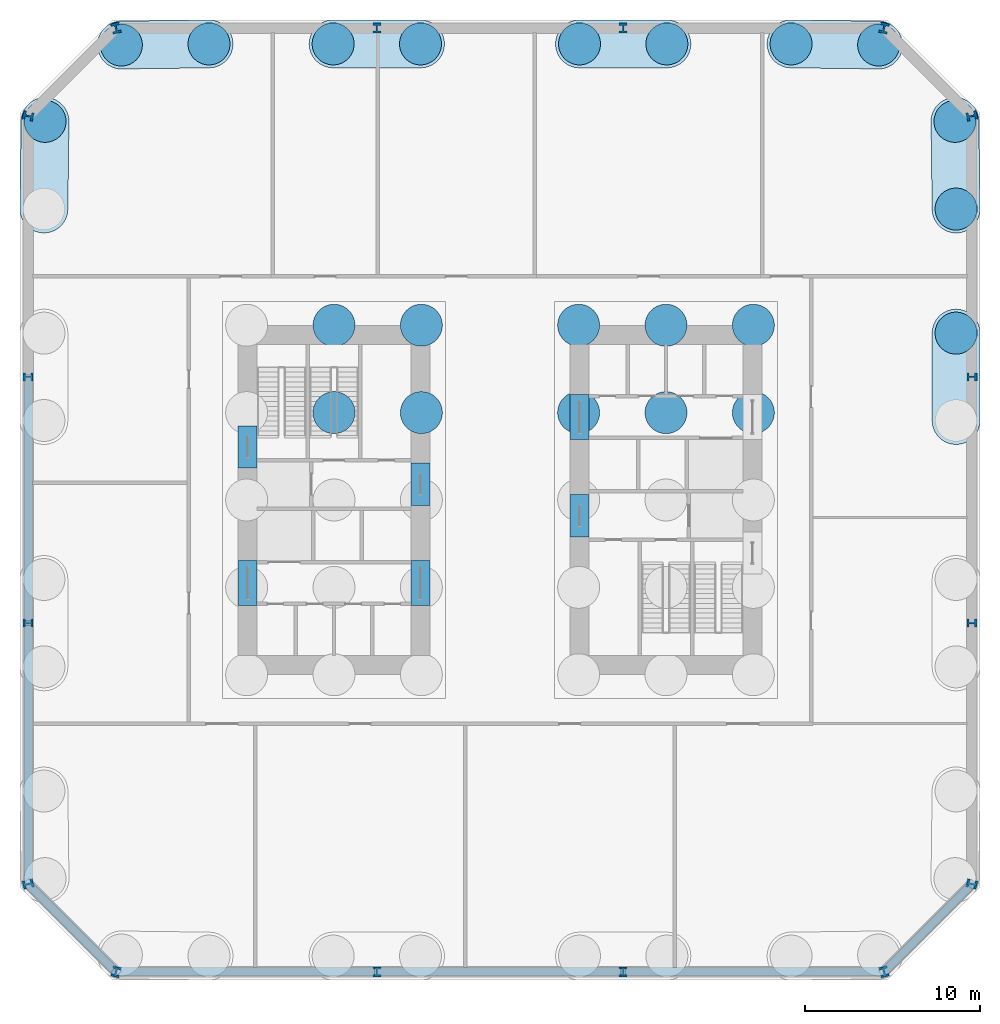
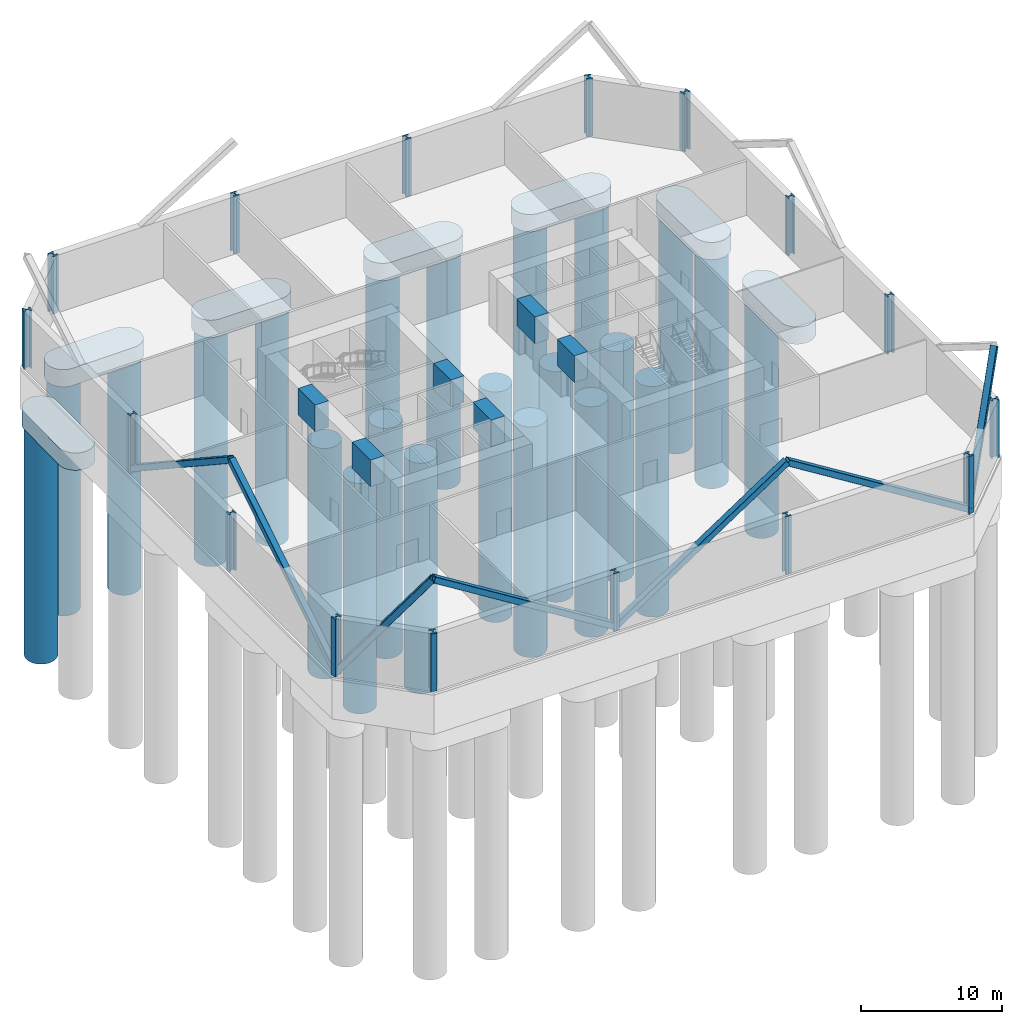
# One storey, part 2 of 7: 22 piles, 16 columns, 7 footings, 7 members, 6 beams.
"""IFC4 building model written with IfcOpenShell, lengths in metres."""

from ifc_helpers import new_model, si_unit, direction, frame, origin, origin_2d, place, context, subcontext, project, spatial, polyline, rectangle, hollow_rectangle, circle, i_section, outline, extrude, material, layer, layer_set, material_profile, profile_set, type_object, element, save


model = new_model("IFC4")

# Units and contexts
model_context = context("Model", 3, precision=1e-05, world=origin(), true_north=direction((0.0, 1.0)))
body_context = subcontext(model_context, "Body", "Model", "MODEL_VIEW")
ifc_project = project(units=[si_unit("LENGTHUNIT", "METRE"), si_unit("AREAUNIT", "SQUARE_METRE"), si_unit("VOLUMEUNIT", "CUBIC_METRE"), si_unit("PLANEANGLEUNIT", "RADIAN"), si_unit("MASSUNIT", "GRAM", prefix="KILO")], contexts=[model_context])

# Site, building, storey
site_placement = place(None, origin())
site = spatial("IfcSite", under=ifc_project, at=site_placement, CompositionType="ELEMENT")
building_placement = place(site_placement, origin())
building = spatial("IfcBuilding", under=site, at=building_placement, Name="Millrace Tower", CompositionType="ELEMENT")
storey_placement = place(building_placement, frame((0.0, 0.0, -10.0)))
storey = spatial("IfcBuildingStorey", under=building, at=storey_placement, Name="B2", CompositionType="ELEMENT", Elevation=-10.0)

# Piles
ifc_material_1 = material(Name="Concrete C35", Category="concrete")
ifc_material_profile_1 = material_profile(ifc_material_1, circle(Radius=1.199951171875, at=origin_2d()))
ifc_profile_set_1 = profile_set([ifc_material_profile_1], Name="Concrete C35")
pile_type = type_object("IfcPileType", Name="Bored pile 2400", PredefinedType="BORED", material=ifc_profile_set_1)
for number, where, z_axis, x_axis, name in (
    (1, (26.10009765625, 9.550048828125, -5.10009765625), (0.0, 0.0, -1.0), (1.0, 0.0, 0.0), "PL-BASE-B2-A-08-2"),
    (2, (26.037109375, 21.66845703125, -5.10009765625), (0.0, 0.0, -1.0), (1.0, 0.0, 0.0), "PL-BASE-B2-A-09-1"),
    (3, (26.10009765625, 16.650146484375, -5.10009765625), (0.0, 0.0, -1.0), (1.0, 0.0, 0.0), "PL-BASE-B2-A-09-2"),
    (4, (21.66845703125, 26.037109375, -5.10009765625), (0.0, 0.0, -1.0), (1.0, 0.0, 0.0), "PL-BASE-B2-A-10-1"),
    (5, (16.656982421875, 26.10009765625, -5.10009765625), (0.0, 0.0, -1.0), (1.0, 0.0, 0.0), "PL-BASE-B2-A-10-2"),
    (6, (9.550048828125, 26.10009765625, -5.10009765625), (0.0, 0.0, -1.0), (1.0, 0.0, 0.0), "PL-BASE-B2-A-11-1"),
    (7, (4.550048828125, 26.10009765625, -5.10009765625), (0.0, 0.0, -1.0), (1.0, 0.0, 0.0), "PL-BASE-B2-A-11-2"),
    (8, (-4.550048828125, 26.10009765625, -5.10009765625), (0.0, 0.0, -1.0), (1.0, 0.0, 0.0), "PL-BASE-B2-A-12-1"),
    (9, (-9.550048828125, 26.10009765625, -5.10009765625), (0.0, 0.0, -1.0), (1.0, 0.0, 0.0), "PL-BASE-B2-A-12-2"),
    (10, (-21.66845703125, 26.037109375, -5.10009765625), (0.0, 0.0, -1.0), (1.0, 0.0, 0.0), "PL-BASE-B2-A-13-1"),
    (11, (-16.65283203125, 26.10009765625, -5.10009765625), (0.0, 0.0, -1.0), (1.0, 0.0, 0.0), "PL-BASE-B2-A-13-2"),
    (12, (-26.037109375, 21.66845703125, -5.10009765625), (0.0, 0.0, -1.0), (1.0, 0.0, 0.0), "PL-BASE-B2-A-14-1"),
    (13, (-9.5, 5.0, -5.10009765625), (0.0, 0.0, -1.0), (1.0, 0.0, 0.0), "PL-BASE-B2-CW-13"),
    (14, (-9.5, 10.0, -5.10009765625), (0.0, 0.0, -1.0), (1.0, 0.0, 0.0), "PL-BASE-B2-CW-14"),
    (15, (-4.5, 5.0, -5.10009765625), (0.0, 0.0, -1.0), (1.0, 0.0, 0.0), "PL-BASE-B2-CW-23"),
    (16, (-4.5, 10.0, -5.10009765625), (0.0, 0.0, -1.0), (1.0, 0.0, 0.0), "PL-BASE-B2-CW-24"),
    (17, (4.5, 5.0, -5.10009765625), (0.0, 0.0, -1.0), (1.0, 0.0, 0.0), "PL-BASE-B2-CE-03"),
    (18, (4.5, 10.0, -5.10009765625), (0.0, 0.0, -1.0), (1.0, 0.0, 0.0), "PL-BASE-B2-CE-04"),
    (19, (9.5, 5.0, -5.10009765625), (0.0, 0.0, -1.0), (1.0, 0.0, 0.0), "PL-BASE-B2-CE-13"),
    (20, (9.5, 10.0, -5.10009765625), (0.0, 0.0, -1.0), (1.0, 0.0, 0.0), "PL-BASE-B2-CE-14"),
    (21, (14.5, 5.0, -5.10009765625), (0.0, 0.0, -1.0), (1.0, 0.0, 0.0), "PL-BASE-B2-CE-23"),
    (22, (14.5, 10.0, -5.10009765625), (0.0, 0.0, -1.0), (1.0, 0.0, 0.0), "PL-BASE-B2-CE-24"),
):
    element("IfcPile", number, at=place(storey_placement, frame(where, z_axis=z_axis, x_axis=x_axis)), inside=storey, type_object=pile_type, Name=name, PredefinedType="BORED", context=body_context, shape_type="SweptSolid", body=[
        extrude(circle(Radius=1.199951171875, at=origin_2d()), origin(), (0.0, 0.0, 1.0), 20.0),
    ])

# Footings
ifc_material_2 = material(Name="Concrete C45", Category="concrete")
ifc_layer = layer(ifc_material_2, 1.5)
ifc_layer_set = layer_set([ifc_layer], Name="Concrete C45")
footing_type = type_object("IfcFootingType", Name="Pile cap 1500 mm", PredefinedType="PILE_CAP", material=ifc_layer_set)
placement = place(storey_placement, frame((0.0, 0.0, -5.10009765625)))
element("IfcFooting", 23, at=placement, inside=storey, type_object=footing_type, Name="FT-BASE-B2-PC04", PredefinedType="PILE_CAP", context=body_context, shape_type="SweptSolid", body=[
    extrude(outline(polyline([(-24.775390625, 16.304931640625), (-24.81591796875, 16.1767578125), (-24.868896484375, 16.05322265625), (-24.970458984375, 15.87890625), (-25.096435546875, 15.7216796875), (-25.244140625, 15.58447265625), (-25.353271484375, 15.505859375), (-25.469482421875, 15.438232421875), (-25.65478515625, 15.358642578125), (-25.849609375, 15.307373046875), (-25.98291015625, 15.289306640625), (-26.1171875, 15.284423828125), (-26.318115234375, 15.3017578125), (-26.449462890625, 15.32958984375), (-26.57763671875, 15.370361328125), (-26.760986328125, 15.454345703125), (-26.929931640625, 15.564208984375), (-27.03271484375, 15.65087890625), (-27.12646484375, 15.7470703125), (-27.24853515625, 15.907470703125), (-27.345703125, 16.084228515625), (-27.3955078125, 16.208984375), (-27.43310546875, 16.338134765625), (-27.45751953125, 16.470458984375), (-27.469970703125, 16.671630859375), (-27.406982421875, 21.685791015625), (-27.3896484375, 21.886474609375), (-27.343017578125, 22.082763671875), (-27.26806640625, 22.269775390625), (-27.16650390625, 22.44384765625), (-27.04052734375, 22.601318359375), (-26.892822265625, 22.738525390625), (-26.7265625, 22.852294921875), (-26.54541015625, 22.940673828125), (-26.353271484375, 23.001708984375), (-26.220947265625, 23.026123046875), (-26.087158203125, 23.03759765625), (-25.95263671875, 23.035888671875), (-25.819091796875, 23.02099609375), (-25.6875, 22.9931640625), (-25.559326171875, 22.95263671875), (-25.435791015625, 22.899658203125), (-25.318115234375, 22.834716796875), (-25.207275390625, 22.758544921875), (-25.104248046875, 22.672119140625), (-25.010498046875, 22.57568359375), (-24.926513671875, 22.470703125), (-24.853271484375, 22.358154296875), (-24.791259765625, 22.23876953125), (-24.741455078125, 22.11376953125), (-24.7041015625, 21.98486328125), (-24.679443359375, 21.8525390625), (-24.667236328125, 21.6513671875), (-24.730224609375, 16.63720703125), (-24.74755859375, 16.436279296875), (-24.775390625, 16.304931640625)])), origin(), (0.0, 0.0, 1.0), 1.5),
])
element("IfcFooting", 24, at=placement, inside=storey, type_object=footing_type, Name="FT-BASE-B2-PC06", PredefinedType="PILE_CAP", context=body_context, shape_type="SweptSolid", body=[
    extrude(outline(polyline([(-16.336669921875, 27.43310546875), (-16.14453125, 27.372314453125), (-16.022216796875, 27.316162109375), (-15.906005859375, 27.24853515625), (-15.74560546875, 27.12646484375), (-15.6494140625, 27.03271484375), (-15.562744140625, 26.929931640625), (-15.452880859375, 26.760986328125), (-15.368896484375, 26.57763671875), (-15.328125, 26.449462890625), (-15.30029296875, 26.318115234375), (-15.282958984375, 26.1171875), (-15.29541015625, 25.916015625), (-15.3369140625, 25.71875), (-15.380615234375, 25.591552734375), (-15.436767578125, 25.469482421875), (-15.542236328125, 25.2978515625), (-15.626220703125, 25.19287109375), (-15.72021484375, 25.096435546875), (-15.87744140625, 24.970458984375), (-15.991943359375, 24.89990234375), (-16.11279296875, 24.841064453125), (-16.303466796875, 24.775390625), (-16.434814453125, 24.74755859375), (-16.6357421875, 24.730224609375), (-21.6513671875, 24.667236328125), (-21.8525390625, 24.679443359375), (-22.0498046875, 24.72119140625), (-22.23876953125, 24.791259765625), (-22.415283203125, 24.888427734375), (-22.57568359375, 25.010498046875), (-22.716552734375, 25.15478515625), (-22.834716796875, 25.318115234375), (-22.927734375, 25.496826171875), (-22.9931640625, 25.6875), (-23.021240234375, 25.819091796875), (-23.035888671875, 25.95263671875), (-23.03759765625, 26.087158203125), (-23.026123046875, 26.220947265625), (-23.001708984375, 26.353271484375), (-22.964111328125, 26.482421875), (-22.914306640625, 26.607177734375), (-22.852294921875, 26.7265625), (-22.779052734375, 26.83935546875), (-22.695068359375, 26.9443359375), (-22.601318359375, 27.04052734375), (-22.49853515625, 27.127197265625), (-22.3876953125, 27.203125), (-22.269775390625, 27.26806640625), (-22.146240234375, 27.321044921875), (-22.01806640625, 27.36181640625), (-21.886474609375, 27.3896484375), (-21.685791015625, 27.406982421875), (-16.670166015625, 27.469970703125), (-16.468994140625, 27.45751953125), (-16.336669921875, 27.43310546875)])), origin(), (0.0, 0.0, 1.0), 1.5),
])
element("IfcFooting", 25, at=placement, inside=storey, type_object=footing_type, Name="FT-BASE-B2-PC09", PredefinedType="PILE_CAP", context=body_context, shape_type="SweptSolid", body=[
    extrude(outline(polyline([(-9.8828125, 24.77099609375), (-10.07421875, 24.834228515625), (-10.19580078125, 24.891845703125), (-10.31103515625, 24.9609375), (-10.469970703125, 25.0849609375), (-10.609130859375, 25.23095703125), (-10.72509765625, 25.395751953125), (-10.78857421875, 25.51416015625), (-10.83984375, 25.638427734375), (-10.87890625, 25.76708984375), (-10.9052734375, 25.89892578125), (-10.919921875, 26.10009765625), (-10.9052734375, 26.301025390625), (-10.87890625, 26.432861328125), (-10.83984375, 26.5615234375), (-10.78857421875, 26.685791015625), (-10.72509765625, 26.80419921875), (-10.609130859375, 26.96923828125), (-10.469970703125, 27.114990234375), (-10.31103515625, 27.239013671875), (-10.19580078125, 27.308349609375), (-10.07421875, 27.36572265625), (-9.8828125, 27.428955078125), (-9.7509765625, 27.455078125), (-9.550048828125, 27.469970703125), (-4.550048828125, 27.469970703125), (-4.348876953125, 27.455078125), (-4.15234375, 27.410888671875), (-3.96435546875, 27.33837890625), (-3.788818359375, 27.239013671875), (-3.6298828125, 27.114990234375), (-3.490966796875, 26.96923828125), (-3.375, 26.80419921875), (-3.2841796875, 26.624267578125), (-3.220947265625, 26.432861328125), (-3.19482421875, 26.301025390625), (-3.181640625, 26.167236328125), (-3.181640625, 26.03271484375), (-3.19482421875, 25.89892578125), (-3.220947265625, 25.76708984375), (-3.260009765625, 25.638427734375), (-3.3115234375, 25.51416015625), (-3.375, 25.395751953125), (-3.44970703125, 25.283935546875), (-3.534912109375, 25.179931640625), (-3.6298828125, 25.0849609375), (-3.73388671875, 24.99951171875), (-3.845703125, 24.9248046875), (-3.96435546875, 24.861572265625), (-4.08837890625, 24.81005859375), (-4.217041015625, 24.77099609375), (-4.348876953125, 24.744873046875), (-4.550048828125, 24.72998046875), (-9.550048828125, 24.72998046875), (-9.7509765625, 24.744873046875), (-9.8828125, 24.77099609375)])), origin(), (0.0, 0.0, 1.0), 1.5),
])
element("IfcFooting", 26, at=placement, inside=storey, type_object=footing_type, Name="FT-BASE-B2-PC11", PredefinedType="PILE_CAP", context=body_context, shape_type="SweptSolid", body=[
    extrude(outline(polyline([(4.217041015625, 24.77099609375), (4.025634765625, 24.834228515625), (3.904296875, 24.891845703125), (3.788818359375, 24.9609375), (3.6298828125, 25.0849609375), (3.490966796875, 25.23095703125), (3.375, 25.395751953125), (3.3115234375, 25.51416015625), (3.260009765625, 25.638427734375), (3.206298828125, 25.832763671875), (3.1865234375, 25.9658203125), (3.179931640625, 26.10009765625), (3.1865234375, 26.234375), (3.206298828125, 26.3671875), (3.260009765625, 26.5615234375), (3.3115234375, 26.685791015625), (3.375, 26.80419921875), (3.490966796875, 26.96923828125), (3.6298828125, 27.114990234375), (3.788818359375, 27.239013671875), (3.904296875, 27.308349609375), (4.025634765625, 27.36572265625), (4.217041015625, 27.428955078125), (4.348876953125, 27.455078125), (4.550048828125, 27.469970703125), (9.550048828125, 27.469970703125), (9.7509765625, 27.455078125), (9.94775390625, 27.410888671875), (10.1357421875, 27.33837890625), (10.31103515625, 27.239013671875), (10.469970703125, 27.114990234375), (10.609130859375, 26.96923828125), (10.72509765625, 26.80419921875), (10.815673828125, 26.624267578125), (10.87890625, 26.432861328125), (10.9052734375, 26.301025390625), (10.91845703125, 26.167236328125), (10.91845703125, 26.03271484375), (10.9052734375, 25.89892578125), (10.87890625, 25.76708984375), (10.83984375, 25.638427734375), (10.78857421875, 25.51416015625), (10.72509765625, 25.395751953125), (10.650390625, 25.283935546875), (10.565185546875, 25.179931640625), (10.469970703125, 25.0849609375), (10.3662109375, 24.99951171875), (10.25439453125, 24.9248046875), (10.1357421875, 24.861572265625), (10.011474609375, 24.81005859375), (9.8828125, 24.77099609375), (9.7509765625, 24.744873046875), (9.550048828125, 24.72998046875), (4.550048828125, 24.72998046875), (4.348876953125, 24.744873046875), (4.217041015625, 24.77099609375)])), origin(), (0.0, 0.0, 1.0), 1.5),
])
element("IfcFooting", 27, at=placement, inside=storey, type_object=footing_type, Name="FT-BASE-B2-PC14", PredefinedType="PILE_CAP", context=body_context, shape_type="SweptSolid", body=[
    extrude(outline(polyline([(16.3076171875, 24.775390625), (16.116943359375, 24.841064453125), (15.93798828125, 24.933837890625), (15.774658203125, 25.052001953125), (15.67626953125, 25.1435546875), (15.587158203125, 25.244140625), (15.508544921875, 25.353271484375), (15.44091796875, 25.469482421875), (15.361572265625, 25.65478515625), (15.31005859375, 25.849609375), (15.292236328125, 25.98291015625), (15.287109375, 26.1171875), (15.29541015625, 26.25146484375), (15.31689453125, 26.384033203125), (15.373046875, 26.57763671875), (15.45703125, 26.760986328125), (15.567138671875, 26.929931640625), (15.70068359375, 27.080810546875), (15.80126953125, 27.169921875), (15.910400390625, 27.24853515625), (16.026611328125, 27.316162109375), (16.148681640625, 27.372314453125), (16.3408203125, 27.43310546875), (16.47314453125, 27.45751953125), (16.67431640625, 27.469970703125), (21.685791015625, 27.406982421875), (21.88671875, 27.3896484375), (22.082763671875, 27.343017578125), (22.269775390625, 27.26806640625), (22.44384765625, 27.16650390625), (22.601318359375, 27.04052734375), (22.738525390625, 26.892822265625), (22.8525390625, 26.7265625), (22.940673828125, 26.54541015625), (23.001708984375, 26.353271484375), (23.026123046875, 26.220947265625), (23.03759765625, 26.087158203125), (23.035888671875, 25.95263671875), (23.02099609375, 25.819091796875), (22.9931640625, 25.6875), (22.95263671875, 25.559326171875), (22.899658203125, 25.435791015625), (22.834716796875, 25.318115234375), (22.758544921875, 25.207275390625), (22.672119140625, 25.104248046875), (22.57568359375, 25.010498046875), (22.470703125, 24.926513671875), (22.358154296875, 24.853271484375), (22.23876953125, 24.791259765625), (22.11376953125, 24.741455078125), (21.98486328125, 24.7041015625), (21.8525390625, 24.679443359375), (21.6513671875, 24.667236328125), (16.639892578125, 24.730224609375), (16.43896484375, 24.74755859375), (16.3076171875, 24.775390625)])), origin(), (0.0, 0.0, 1.0), 1.5),
])
element("IfcFooting", 28, at=placement, inside=storey, type_object=footing_type, Name="FT-BASE-B2-PC16", PredefinedType="PILE_CAP", context=body_context, shape_type="SweptSolid", body=[
    extrude(outline(polyline([(27.43310546875, 16.333984375), (27.3955078125, 16.204833984375), (27.345703125, 16.080078125), (27.24853515625, 15.9033203125), (27.12646484375, 15.742919921875), (26.982421875, 15.60205078125), (26.875244140625, 15.520751953125), (26.760986328125, 15.4501953125), (26.57763671875, 15.3662109375), (26.384033203125, 15.31005859375), (26.25146484375, 15.28857421875), (26.1171875, 15.2802734375), (25.98291015625, 15.28515625), (25.849609375, 15.30322265625), (25.65478515625, 15.3544921875), (25.52978515625, 15.404541015625), (25.410400390625, 15.46630859375), (25.244140625, 15.580322265625), (25.096435546875, 15.717529296875), (25.010009765625, 15.8203125), (24.933837890625, 15.93115234375), (24.841064453125, 16.110107421875), (24.775390625, 16.300537109375), (24.73828125, 16.498779296875), (24.730224609375, 16.633056640625), (24.667236328125, 21.6513671875), (24.679443359375, 21.8525390625), (24.72119140625, 22.0498046875), (24.791259765625, 22.23876953125), (24.888427734375, 22.415283203125), (25.010498046875, 22.575927734375), (25.15478515625, 22.716552734375), (25.318115234375, 22.834716796875), (25.4970703125, 22.927734375), (25.6875, 22.9931640625), (25.819091796875, 23.021240234375), (25.95263671875, 23.035888671875), (26.087158203125, 23.03759765625), (26.220947265625, 23.026123046875), (26.353271484375, 23.001708984375), (26.482421875, 22.964111328125), (26.607177734375, 22.914306640625), (26.7265625, 22.852294921875), (26.83935546875, 22.779052734375), (26.9443359375, 22.695068359375), (27.04052734375, 22.601318359375), (27.127197265625, 22.49853515625), (27.203125, 22.3876953125), (27.26806640625, 22.269775390625), (27.321044921875, 22.146240234375), (27.36181640625, 22.01806640625), (27.3896484375, 21.886474609375), (27.406982421875, 21.685791015625), (27.469970703125, 16.667236328125), (27.465087890625, 16.532958984375), (27.43310546875, 16.333984375)])), origin(), (0.0, 0.0, 1.0), 1.5),
])
element("IfcFooting", 29, at=placement, inside=storey, type_object=footing_type, Name="FT-BASE-B2-PC18", PredefinedType="PILE_CAP", context=body_context, shape_type="SweptSolid", body=[
    extrude(outline(polyline([(24.77099609375, 9.8828125), (24.834228515625, 10.07421875), (24.891845703125, 10.19580078125), (24.9609375, 10.31103515625), (25.0849609375, 10.469970703125), (25.23095703125, 10.609130859375), (25.395751953125, 10.72509765625), (25.51416015625, 10.78857421875), (25.638427734375, 10.83984375), (25.76708984375, 10.87890625), (25.89892578125, 10.9052734375), (26.10009765625, 10.919921875), (26.301025390625, 10.9052734375), (26.432861328125, 10.87890625), (26.5615234375, 10.83984375), (26.685791015625, 10.78857421875), (26.80419921875, 10.72509765625), (26.96923828125, 10.609130859375), (27.114990234375, 10.469970703125), (27.239013671875, 10.31103515625), (27.308349609375, 10.19580078125), (27.36572265625, 10.07421875), (27.428955078125, 9.8828125), (27.455078125, 9.7509765625), (27.469970703125, 9.550048828125), (27.469970703125, 4.550048828125), (27.455078125, 4.348876953125), (27.410888671875, 4.15234375), (27.33837890625, 3.96435546875), (27.239013671875, 3.788818359375), (27.114990234375, 3.6298828125), (26.96923828125, 3.490966796875), (26.80419921875, 3.375), (26.624267578125, 3.2841796875), (26.432861328125, 3.220947265625), (26.301025390625, 3.19482421875), (26.167236328125, 3.181640625), (26.03271484375, 3.181640625), (25.89892578125, 3.19482421875), (25.76708984375, 3.220947265625), (25.638427734375, 3.260009765625), (25.51416015625, 3.3115234375), (25.395751953125, 3.375), (25.283935546875, 3.44970703125), (25.179931640625, 3.534912109375), (25.0849609375, 3.6298828125), (24.99951171875, 3.73388671875), (24.9248046875, 3.845703125), (24.861572265625, 3.96435546875), (24.81005859375, 4.08837890625), (24.77099609375, 4.217041015625), (24.744873046875, 4.348876953125), (24.72998046875, 4.550048828125), (24.72998046875, 9.550048828125), (24.744873046875, 9.7509765625), (24.77099609375, 9.8828125)])), origin(), (0.0, 0.0, 1.0), 1.5),
])

# Columns
ifc_material_3 = material(Name="Steel ASTM A913 Grade 65", Category="steel")
ifc_material_profile_2 = material_profile(ifc_material_3, i_section(OverallWidth=0.45458984375, OverallDepth=0.56884765625, WebThickness=0.077880859375, FlangeThickness=0.124755859375, FilletRadius=0.01513671875, at=origin_2d()))
ifc_profile_set_2 = profile_set([ifc_material_profile_2], Name="Steel ASTM A913 Grade 65")
column_type_1 = type_object("IfcColumnType", Name="Exoskeleton column W14x730", PredefinedType="COLUMN", material=ifc_profile_set_2)
column_1_placement = place(storey_placement, frame((-7.050048828125, -27.0, 0.0), z_axis=(0.0, 0.0, 1.0), x_axis=(1.0, 0.0, 0.0)))
element("IfcColumn", 30, at=column_1_placement, inside=storey, type_object=column_type_1, Name="COL-A-B2-X03", PredefinedType="COLUMN", context=body_context, shape_type="SweptSolid", body=[
    extrude(i_section(OverallWidth=0.45458984375, OverallDepth=0.56884765625, WebThickness=0.077880859375, FlangeThickness=0.124755859375, FilletRadius=0.01513671875, at=origin_2d()), origin(), (0.0, 0.0, 1.0), 5.0),
])
column_2_placement = place(storey_placement, frame((7.050048828125, -27.0, 0.0), z_axis=(0.0, 0.0, 1.0), x_axis=(1.0, 0.0, 0.0)))
element("IfcColumn", 31, at=column_2_placement, inside=storey, type_object=column_type_1, Name="COL-A-B2-X04", PredefinedType="COLUMN", context=body_context, shape_type="SweptSolid", body=[
    extrude(i_section(OverallWidth=0.45458984375, OverallDepth=0.56884765625, WebThickness=0.077880859375, FlangeThickness=0.124755859375, FilletRadius=0.01513671875, at=origin_2d()), origin(), (0.0, 0.0, 1.0), 5.0),
])
column_3_placement = place(storey_placement, frame((27.0, -7.050048828125, 0.0), z_axis=(0.0, 0.0, 1.0), x_axis=(0.0, 1.0, 0.0)))
element("IfcColumn", 32, at=column_3_placement, inside=storey, type_object=column_type_1, Name="COL-A-B2-X07", PredefinedType="COLUMN", context=body_context, shape_type="SweptSolid", body=[
    extrude(i_section(OverallWidth=0.45458984375, OverallDepth=0.56884765625, WebThickness=0.077880859375, FlangeThickness=0.124755859375, FilletRadius=0.01513671875, at=origin_2d()), origin(), (0.0, 0.0, 1.0), 5.0),
])
column_4_placement = place(storey_placement, frame((27.0, 7.050048828125, 0.0), z_axis=(0.0, 0.0, 1.0), x_axis=(0.0, 1.0, 0.0)))
element("IfcColumn", 33, at=column_4_placement, inside=storey, type_object=column_type_1, Name="COL-A-B2-X08", PredefinedType="COLUMN", context=body_context, shape_type="SweptSolid", body=[
    extrude(i_section(OverallWidth=0.45458984375, OverallDepth=0.56884765625, WebThickness=0.077880859375, FlangeThickness=0.124755859375, FilletRadius=0.01513671875, at=origin_2d()), origin(), (0.0, 0.0, 1.0), 5.0),
])
column_5_placement = place(storey_placement, frame((7.050048828125, 27.0, 0.0), z_axis=(0.0, 0.0, 1.0), x_axis=(-1.0, 0.0, 0.0)))
element("IfcColumn", 34, at=column_5_placement, inside=storey, type_object=column_type_1, Name="COL-A-B2-X11", PredefinedType="COLUMN", context=body_context, shape_type="SweptSolid", body=[
    extrude(i_section(OverallWidth=0.45458984375, OverallDepth=0.56884765625, WebThickness=0.077880859375, FlangeThickness=0.124755859375, FilletRadius=0.01513671875, at=origin_2d()), origin(), (0.0, 0.0, 1.0), 5.0),
])
column_6_placement = place(storey_placement, frame((-7.050048828125, 27.0, 0.0), z_axis=(0.0, 0.0, 1.0), x_axis=(-1.0, 0.0, 0.0)))
element("IfcColumn", 35, at=column_6_placement, inside=storey, type_object=column_type_1, Name="COL-A-B2-X12", PredefinedType="COLUMN", context=body_context, shape_type="SweptSolid", body=[
    extrude(i_section(OverallWidth=0.45458984375, OverallDepth=0.56884765625, WebThickness=0.077880859375, FlangeThickness=0.124755859375, FilletRadius=0.01513671875, at=origin_2d()), origin(), (0.0, 0.0, 1.0), 5.0),
])
column_7_placement = place(storey_placement, frame((-27.0, 7.050048828125, 0.0), z_axis=(0.0, 0.0, 1.0), x_axis=(0.0, -1.0, 0.0)))
element("IfcColumn", 36, at=column_7_placement, inside=storey, type_object=column_type_1, Name="COL-A-B2-X15", PredefinedType="COLUMN", context=body_context, shape_type="SweptSolid", body=[
    extrude(i_section(OverallWidth=0.45458984375, OverallDepth=0.56884765625, WebThickness=0.077880859375, FlangeThickness=0.124755859375, FilletRadius=0.01513671875, at=origin_2d()), origin(), (0.0, 0.0, 1.0), 5.0),
])
column_8_placement = place(storey_placement, frame((-27.0, -7.050048828125, 0.0), z_axis=(0.0, 0.0, 1.0), x_axis=(0.0, -1.0, 0.0)))
element("IfcColumn", 37, at=column_8_placement, inside=storey, type_object=column_type_1, Name="COL-A-B2-X16", PredefinedType="COLUMN", context=body_context, shape_type="SweptSolid", body=[
    extrude(i_section(OverallWidth=0.45458984375, OverallDepth=0.56884765625, WebThickness=0.077880859375, FlangeThickness=0.124755859375, FilletRadius=0.01513671875, at=origin_2d()), origin(), (0.0, 0.0, 1.0), 5.0),
])
ifc_material_4 = material(Name="Steel ASTM A913 Grade 65", Category="steel")
ifc_material_profile_3 = material_profile(ifc_material_4, i_section(OverallWidth=0.4775390625, OverallDepth=0.599365234375, WebThickness=0.10009765625, FlangeThickness=0.139892578125, FilletRadius=0.014892578125, at=origin_2d()))
ifc_profile_set_3 = profile_set([ifc_material_profile_3], Name="Steel ASTM A913 Grade 65")
column_type_2 = type_object("IfcColumnType", Name="Exoskeleton column W14x873", PredefinedType="COLUMN", material=ifc_profile_set_3)
for number, where, z_axis, x_axis, name in (
    (38, (-27.0, -21.978515625, 0.0), (0.0, 0.0, 1.0), (0.244094142872, -0.969751540043, 0.0), "COL-A-B2-X01"),
    (39, (-21.978515625, -27.0, 0.0), (0.0, 0.0, 1.0), (0.969751540043, -0.244094142872, 0.0), "COL-A-B2-X02"),
    (40, (21.978515625, -27.0, 0.0), (0.0, 0.0, 1.0), (0.969751540043, 0.244094142872, 0.0), "COL-A-B2-X05"),
    (41, (27.0, -21.978515625, 0.0), (0.0, 0.0, 1.0), (0.244094142872, 0.969751540043, 0.0), "COL-A-B2-X06"),
    (42, (27.0, 21.978515625, 0.0), (0.0, 0.0, 1.0), (-0.244094142872, 0.969751540043, 0.0), "COL-A-B2-X09"),
    (43, (21.978515625, 27.0, 0.0), (0.0, 0.0, 1.0), (-0.969751540043, 0.244094142872, 0.0), "COL-A-B2-X10"),
    (44, (-21.978515625, 27.0, 0.0), (0.0, 0.0, 1.0), (-0.969751540043, -0.244094142872, 0.0), "COL-A-B2-X13"),
    (45, (-27.0, 21.978515625, 0.0), (0.0, 0.0, 1.0), (-0.244094142872, -0.969751540043, 0.0), "COL-A-B2-X14"),
):
    element("IfcColumn", number, at=place(storey_placement, frame(where, z_axis=z_axis, x_axis=x_axis)), inside=storey, type_object=column_type_2, Name=name, PredefinedType="COLUMN", context=body_context, shape_type="SweptSolid", body=[
        extrude(i_section(OverallWidth=0.4775390625, OverallDepth=0.599365234375, WebThickness=0.10009765625, FlangeThickness=0.139892578125, FilletRadius=0.014892578125, at=origin_2d()), origin(), (0.0, 0.0, 1.0), 5.0),
    ])

# Beams
ifc_material_5 = material(Name="Concrete C80", Category="concrete")
ifc_material_profile_4 = material_profile(ifc_material_5, rectangle(XDim=1.10009765625, YDim=2.300048828125, at=origin_2d()))
ifc_profile_set_4 = profile_set([ifc_material_profile_4], Name="Concrete C80")
beam_type_1 = type_object("IfcBeamType", Name="Coupling beam 1100 x 2300 Concrete C80, 1300 opening", PredefinedType="BEAM", material=ifc_profile_set_4)
for number, where, z_axis, x_axis, name in (
    (46, (-14.449951171875, 1.822509765625, 3.550048828125), (0.0, 1.0, 0.0), (-1.0, 0.0, 0.0), "Coupling beam W B2"),
    (47, (-4.550048828125, -0.3076171875, 3.550048828125), (0.0, 1.0, 0.0), (-1.0, 0.0, 0.0), "Coupling beam W B2"),
    (48, (4.550048828125, 0.3076171875, 3.550048828125), (0.0, -1.0, 0.0), (1.0, 0.0, 0.0), "Coupling beam E B2"),
):
    element("IfcBeam", number, at=place(storey_placement, frame(where, z_axis=z_axis, x_axis=x_axis)), inside=storey, type_object=beam_type_1, Name=name, PredefinedType="BEAM", context=body_context, shape_type="SweptSolid", body=[
        extrude(rectangle(XDim=1.10009765625, YDim=2.300048828125, at=origin_2d()), origin(), (0.0, 0.0, 1.0), 2.4150390625),
    ])
ifc_material_6 = material(Name="Concrete C80", Category="concrete")
ifc_material_profile_5 = material_profile(ifc_material_6, rectangle(XDim=1.10009765625, YDim=2.300048828125, at=origin_2d()))
ifc_profile_set_5 = profile_set([ifc_material_profile_5], Name="Concrete C80")
beam_type_2 = type_object("IfcBeamType", Name="Coupling beam 1100 x 2300 Concrete C80, 2000 opening", PredefinedType="BEAM", material=ifc_profile_set_5)
for number, where, z_axis, x_axis, name in (
    (49, (-14.449951171875, -6.050048828125, 3.550048828125), (0.0, 1.0, 0.0), (-1.0, 0.0, 0.0), "Coupling beam W B2"),
    (50, (-4.550048828125, -6.050048828125, 3.550048828125), (0.0, 1.0, 0.0), (-1.0, 0.0, 0.0), "Coupling beam W B2"),
    (51, (4.550048828125, 6.050048828125, 3.550048828125), (0.0, -1.0, 0.0), (1.0, 0.0, 0.0), "Coupling beam E B2"),
):
    element("IfcBeam", number, at=place(storey_placement, frame(where, z_axis=z_axis, x_axis=x_axis)), inside=storey, type_object=beam_type_2, Name=name, PredefinedType="BEAM", context=body_context, shape_type="SweptSolid", body=[
        extrude(rectangle(XDim=1.10009765625, YDim=2.300048828125, at=origin_2d()), origin(), (0.0, 0.0, 1.0), 2.60009765625),
    ])

# Members
ifc_material_7 = material(Name="Steel ASTM A500 Grade C", Category="steel")
ifc_material_profile_6 = material_profile(ifc_material_7, hollow_rectangle(XDim=0.508056640625, YDim=0.508056640625, WallThickness=0.022216796875, InnerFilletRadius=0.01123046875, OuterFilletRadius=0.033447265625, at=origin_2d()))
ifc_profile_set_6 = profile_set([ifc_material_profile_6], Name="Steel ASTM A500 Grade C")
member_type = type_object("IfcMemberType", Name="Exoskeleton brace HSS20x20x7/8", PredefinedType="BRACE", material=ifc_profile_set_6)
member_1_placement = place(storey_placement, frame((-27.0, -21.978515625, 0.300048828125), z_axis=(0.429137297225, -0.429137297225, 0.794784474094), x_axis=(0.707106781187, 0.707106781187, 0.0)))
element("IfcMember", 52, at=member_1_placement, inside=storey, type_object=member_type, Name="BRC-BASE-B2-01", PredefinedType="BRACE", context=body_context, shape_type="SweptSolid", body=[
    extrude(hollow_rectangle(XDim=0.508056640625, YDim=0.508056640625, WallThickness=0.022216796875, InnerFilletRadius=0.01123046875, OuterFilletRadius=0.033447265625, at=origin_2d()), origin(), (0.0, 0.0, 1.0), 11.701416015625),
])
member_2_placement = place(storey_placement, frame((-7.050048828125, -27.0, 0.300048828125), z_axis=(-0.84877020522, 0.0, 0.528761892283), x_axis=(0.0, -1.0, 0.0)))
element("IfcMember", 53, at=member_2_placement, inside=storey, type_object=member_type, Name="BRC-BASE-B2-02", PredefinedType="BRACE", context=body_context, shape_type="SweptSolid", body=[
    extrude(hollow_rectangle(XDim=0.508056640625, YDim=0.508056640625, WallThickness=0.022216796875, InnerFilletRadius=0.01123046875, OuterFilletRadius=0.033447265625, at=origin_2d()), origin(), (0.0, 0.0, 1.0), 17.58837890625),
])
member_3_placement = place(storey_placement, frame((-7.050048828125, -27.0, 0.300048828125), z_axis=(0.8347731032, 0.0, 0.550594102923), x_axis=(0.0, 1.0, 0.0)))
element("IfcMember", 54, at=member_3_placement, inside=storey, type_object=member_type, Name="BRC-BASE-B2-03", PredefinedType="BRACE", context=body_context, shape_type="SweptSolid", body=[
    extrude(hollow_rectangle(XDim=0.508056640625, YDim=0.508056640625, WallThickness=0.022216796875, InnerFilletRadius=0.01123046875, OuterFilletRadius=0.033447265625, at=origin_2d()), origin(), (0.0, 0.0, 1.0), 16.890869140625),
])
member_4_placement = place(storey_placement, frame((21.978515625, -27.0, 0.300048828125), z_axis=(-0.84877020522, 0.0, 0.528761892283), x_axis=(0.0, -1.0, 0.0)))
element("IfcMember", 55, at=member_4_placement, inside=storey, type_object=member_type, Name="BRC-BASE-B2-04", PredefinedType="BRACE", context=body_context, shape_type="SweptSolid", body=[
    extrude(hollow_rectangle(XDim=0.508056640625, YDim=0.508056640625, WallThickness=0.022216796875, InnerFilletRadius=0.01123046875, OuterFilletRadius=0.033447265625, at=origin_2d()), origin(), (0.0, 0.0, 1.0), 17.58837890625),
])
member_5_placement = place(storey_placement, frame((21.978515625, -27.0, 0.300048828125), z_axis=(0.429137297225, 0.429137297225, 0.794784474094), x_axis=(-0.707106781187, 0.707106781187, 0.0)))
element("IfcMember", 56, at=member_5_placement, inside=storey, type_object=member_type, Name="BRC-BASE-B2-05", PredefinedType="BRACE", context=body_context, shape_type="SweptSolid", body=[
    extrude(hollow_rectangle(XDim=0.508056640625, YDim=0.508056640625, WallThickness=0.022216796875, InnerFilletRadius=0.01123046875, OuterFilletRadius=0.033447265625, at=origin_2d()), origin(), (0.0, 0.0, 1.0), 11.701416015625),
])
member_6_placement = place(storey_placement, frame((-27.0, 7.050048828125, 0.300048828125), z_axis=(0.0, -0.8347731032, 0.550594102923), x_axis=(1.0, 0.0, 0.0)))
element("IfcMember", 57, at=member_6_placement, inside=storey, type_object=member_type, Name="BRC-BASE-B2-15", PredefinedType="BRACE", context=body_context, shape_type="SweptSolid", body=[
    extrude(hollow_rectangle(XDim=0.508056640625, YDim=0.508056640625, WallThickness=0.022216796875, InnerFilletRadius=0.01123046875, OuterFilletRadius=0.033447265625, at=origin_2d()), origin(), (0.0, 0.0, 1.0), 16.890869140625),
])
member_7_placement = place(storey_placement, frame((-27.0, -21.978515625, 0.300048828125), z_axis=(0.0, 0.84877020522, 0.528761892283), x_axis=(-1.0, 0.0, 0.0)))
element("IfcMember", 58, at=member_7_placement, inside=storey, type_object=member_type, Name="BRC-BASE-B2-16", PredefinedType="BRACE", context=body_context, shape_type="SweptSolid", body=[
    extrude(hollow_rectangle(XDim=0.508056640625, YDim=0.508056640625, WallThickness=0.022216796875, InnerFilletRadius=0.01123046875, OuterFilletRadius=0.033447265625, at=origin_2d()), origin(), (0.0, 0.0, 1.0), 17.58837890625),
])

save(model, "model.ifc")
